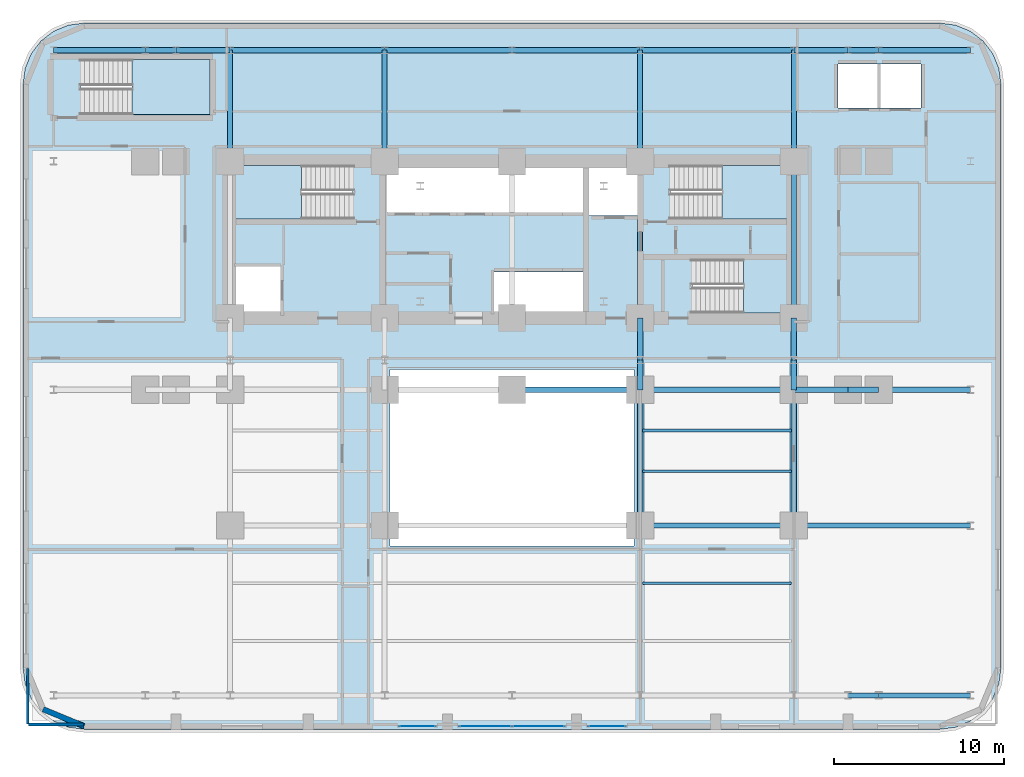
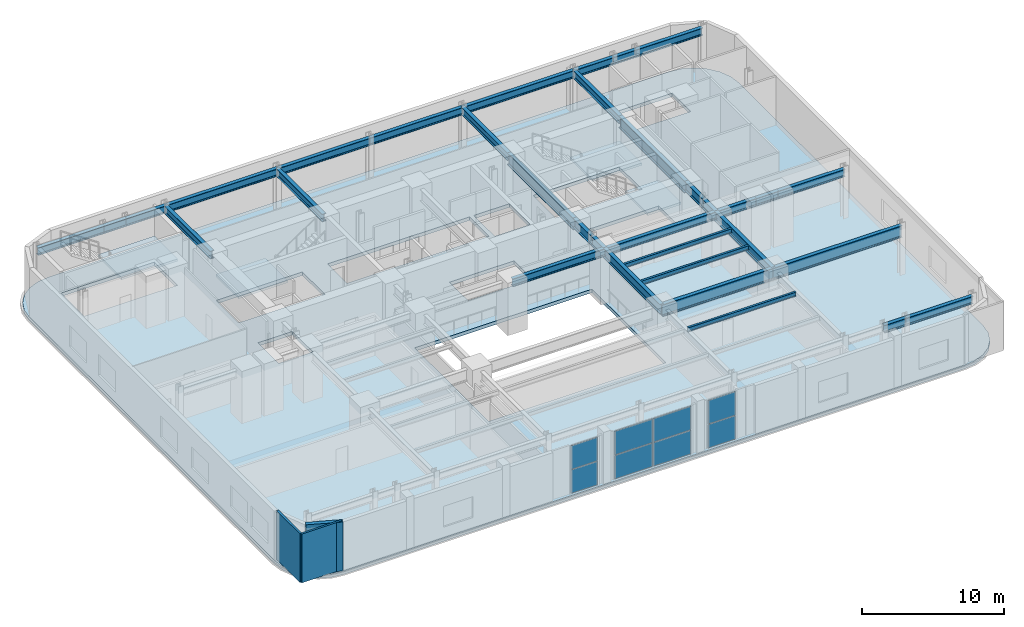
# One storey, part 5 of 14: 34 beams, 8 plates, 5 slabs, 3 walls, 7 elements without a shape of their own.
"""IFC4 building model written with IfcOpenShell, lengths in metres."""

import ifcopenshell
import ifcopenshell.guid

model = None  # the IFC model being written
_history = None  # IfcOwnerHistory: only IFC2X3 demands one
_inside = {}  # id of a spatial element -> (the spatial element, [elements in it])
_under = {}  # id of a project, library or spatial element -> (it, [spatial elements below it])
_declared = {}  # id of a project -> (the project, [libraries it declares])
_typed = {}  # id of a type object -> (the type object, [elements of that type])
_made_of = {}  # id of a material, layer set ... -> (it, [elements and type objects made of it])


def new_model(schema):
    """Start an empty IFC model of exactly this schema.

    Asked for "IFC4X3", IfcOpenShell would pick the latest addendum, in which some entities
    have other attributes; the version numbers below select the first issue.
    IFC2X3 requires an IfcOwnerHistory on every rooted entity: one is made here for all.
    """
    global model, _history
    if schema == "IFC4X3":
        model = ifcopenshell.file(schema_version=(4, 3, 0, 0))
    else:
        model = ifcopenshell.file(schema=schema)
    _inside.clear()
    _under.clear()
    _declared.clear()
    _typed.clear()
    _made_of.clear()
    _history = None
    if model.schema == "IFC2X3":
        org = make("IfcOrganization", Name="unknown")
        user = make(
            "IfcPersonAndOrganization",
            ThePerson=make("IfcPerson", FamilyName="unknown"),
            TheOrganization=org,
        )
        app = make(
            "IfcApplication",
            ApplicationDeveloper=org,
            Version="unknown",
            ApplicationFullName="unknown",
            ApplicationIdentifier="unknown",
        )
        _history = make(
            "IfcOwnerHistory",
            OwningUser=user,
            OwningApplication=app,
            ChangeAction="ADDED",
            CreationDate=0,
        )
    return model


def make(cls, **values):
    """One entity of the class cls with the attributes given. An attribute that is None is left unset."""
    return model.create_entity(
        cls, **{name: value for name, value in values.items() if value is not None}
    )


def rooted(cls, **values):
    """An entity with a GlobalId (a new one), such as an element, a storey or a relation."""
    return make(cls, GlobalId=ifcopenshell.guid.new(), OwnerHistory=_history, **values)


def si_unit(unit_type, name, prefix=None):
    """IfcSIUnit, for example si_unit("LENGTHUNIT", "METRE", prefix="MILLI")."""
    return make("IfcSIUnit", UnitType=unit_type, Prefix=prefix, Name=name)


def assignment(units):
    """IfcUnitAssignment: the units of a project."""
    return None if units is None else make("IfcUnitAssignment", Units=units)


def point(xyz):
    """IfcCartesianPoint."""
    return None if xyz is None else make("IfcCartesianPoint", Coordinates=xyz)


def direction(xyz):
    """IfcDirection."""
    return None if xyz is None else make("IfcDirection", DirectionRatios=xyz)


def frame(location, z_axis=None, x_axis=None):
    """IfcAxis2Placement3D, a coordinate frame: its origin and axes. An axis left out is left unset."""
    return make(
        "IfcAxis2Placement3D",
        Location=point(location),
        Axis=direction(z_axis),
        RefDirection=direction(x_axis),
    )


def frame_2d(location, x_axis=None):
    """IfcAxis2Placement2D, a coordinate frame in the plane: its origin and x axis."""
    return make(
        "IfcAxis2Placement2D", Location=point(location), RefDirection=direction(x_axis)
    )


def origin():
    """The frame at (0, 0, 0) with its axes left unset."""
    return frame((0.0, 0.0, 0.0))


def origin_2d():
    """The frame at (0, 0) in the plane with its x axis left unset."""
    return frame_2d((0.0, 0.0))


def place(relative_to, where):
    """IfcLocalPlacement: puts the frame where relative to a parent placement (None: the world)."""
    return make(
        "IfcLocalPlacement", PlacementRelTo=relative_to, RelativePlacement=where
    )


def context(
    kind, dimensions, precision=None, world=None, true_north=None, identifier=None
):
    """IfcGeometricRepresentationContext, for example the 3D "Model" context."""
    return make(
        "IfcGeometricRepresentationContext",
        ContextIdentifier=identifier,
        ContextType=kind,
        CoordinateSpaceDimension=dimensions,
        Precision=precision,
        WorldCoordinateSystem=world,
        TrueNorth=true_north,
    )


def subcontext(parent, identifier, kind, view, scale=None):
    """IfcGeometricRepresentationSubContext, for example "Body" below "Model"."""
    return make(
        "IfcGeometricRepresentationSubContext",
        ContextIdentifier=identifier,
        ContextType=kind,
        ParentContext=parent,
        TargetScale=scale,
        TargetView=view,
    )


def project(units=None, contexts=None):
    """IfcProject with its units and contexts."""
    return rooted(
        "IfcProject",
        Name="project",
        RepresentationContexts=contexts,
        UnitsInContext=assignment(units),
    )


def spatial(cls, under=None, at=None, **own):
    """A site, building, storey or space (cls), placed at a placement, below another one or the project."""
    s = rooted(cls, ObjectPlacement=at, **own)
    if under is not None:
        _under.setdefault(under.id(), (under, []))[1].append(s)
    return s


def polyline(points):
    """IfcPolyline through the points."""
    return make("IfcPolyline", Points=[point(p) for p in points])


def profile(cls, at=None, kind="AREA", **sizes):
    """A parametric profile (cls). Its sizes go by their IFC names, for example OverallWidth=200.0."""
    return make(cls, ProfileType=kind, Position=at, **sizes)


def rectangle(**sizes):
    """IfcRectangleProfileDef."""
    return profile("IfcRectangleProfileDef", **sizes)


def i_section(**sizes):
    """IfcIShapeProfileDef."""
    return profile("IfcIShapeProfileDef", **sizes)


def outline(outer, holes=None, kind="AREA"):
    """IfcArbitraryClosedProfileDef: a profile drawn as a closed curve; with holes, ...WithVoids."""
    if holes is None:
        return make("IfcArbitraryClosedProfileDef", ProfileType=kind, OuterCurve=outer)
    return make(
        "IfcArbitraryProfileDefWithVoids",
        ProfileType=kind,
        OuterCurve=outer,
        InnerCurves=holes,
    )


def extrude(swept, where, along, depth):
    """IfcExtrudedAreaSolid: the profile swept, set in the frame where, extruded along a direction by depth."""
    return make(
        "IfcExtrudedAreaSolid",
        SweptArea=swept,
        Position=where,
        ExtrudedDirection=direction(along),
        Depth=depth,
    )


def shape(context_of_items, identifier, shape_type, items):
    """IfcShapeRepresentation: the items that make up one representation, for example the "Body"."""
    return make(
        "IfcShapeRepresentation",
        ContextOfItems=context_of_items,
        RepresentationIdentifier=identifier,
        RepresentationType=shape_type,
        Items=items,
    )


def material(Name=None, Category=None):
    """IfcMaterial."""
    return make("IfcMaterial", Name=Name, Category=Category)


def layer(
    of_material, thickness, ventilated=None, Name=None, Category=None, Priority=None
):
    """IfcMaterialLayer: one layer of a wall or slab, of a material (None: an air gap)."""
    return make(
        "IfcMaterialLayer",
        Material=of_material,
        LayerThickness=thickness,
        IsVentilated=ventilated,
        Name=Name,
        Category=Category,
        Priority=Priority,
    )


def layer_set(layers, Name=None):
    """IfcMaterialLayerSet."""
    return make("IfcMaterialLayerSet", MaterialLayers=layers, LayerSetName=Name)


def material_profile(
    of_material, cross_section, Name=None, Category=None, Priority=None
):
    """IfcMaterialProfile: a cross section and its material."""
    return make(
        "IfcMaterialProfile",
        Name=Name,
        Material=of_material,
        Profile=cross_section,
        Priority=Priority,
        Category=Category,
    )


def profile_set(profiles, Name=None, composite=None):
    """IfcMaterialProfileSet."""
    return make(
        "IfcMaterialProfileSet",
        Name=Name,
        MaterialProfiles=profiles,
        CompositeProfile=composite,
    )


def made_of(thing, what):
    """Note that an element or type object is made of a material, layer set ...; save() writes the relation."""
    if what is not None:
        _made_of.setdefault(what.id(), (what, []))[1].append(thing)
    return thing


def type_object(cls, material=None, **own):
    """A type object (cls), such as IfcWallType, which elements share."""
    return made_of(rooted(cls, **own), material)


def element(
    cls,
    number,
    at=None,
    inside=None,
    cuts=None,
    type_object=None,
    material=None,
    context=None,
    identifier="Body",
    shape_type=None,
    held_by="IfcProductDefinitionShape",
    body=None,
    shapes=None,
    **own,
):
    """One element of the class cls, such as IfcWall. Its Tag is "e" and its number.

    at: its placement. inside: the storey or other place that contains it. cuts: it is an
    opening in that element (IfcRelVoidsElement). A single representation is given by context,
    identifier, shape_type and body (its items); several are given by shapes. held_by: the class
    of the entity that holds the representations. save() writes the other relations.
    """
    e = rooted(cls, Tag="e%d" % number, ObjectPlacement=at, **own)
    if body is not None:
        shapes = [shape(context, identifier, shape_type, body)]
    if shapes is not None:
        e.Representation = make(held_by, Representations=shapes)
    if inside is not None:
        _inside.setdefault(inside.id(), (inside, []))[1].append(e)
    if cuts is not None:
        rooted(
            "IfcRelVoidsElement", RelatingBuildingElement=cuts, RelatedOpeningElement=e
        )
    if type_object is not None:
        _typed.setdefault(type_object.id(), (type_object, []))[1].append(e)
    return made_of(e, material)


def aggregate(whole, parts):
    """IfcRelAggregates: a whole, such as a stair, and the parts it consists of."""
    return rooted("IfcRelAggregates", RelatingObject=whole, RelatedObjects=parts)


def save(model, path):
    """Write the relations noted so far, then the file.

    IfcRelAggregates (storeys below a building ...), IfcRelContainedInSpatialStructure (elements
    in a storey), IfcRelDefinesByType, IfcRelAssociatesMaterial and IfcRelDeclares: one each for
    every whole, place, type object, material and project.
    """
    for whole, parts in _under.values():
        aggregate(whole, parts)
    for where, things in _inside.values():
        rooted(
            "IfcRelContainedInSpatialStructure",
            RelatedElements=things,
            RelatingStructure=where,
        )
    for kind, things in _typed.values():
        rooted("IfcRelDefinesByType", RelatedObjects=things, RelatingType=kind)
    for what, things in _made_of.values():
        rooted("IfcRelAssociatesMaterial", RelatedObjects=things, RelatingMaterial=what)
    for by, libraries in _declared.values():
        rooted("IfcRelDeclares", RelatingContext=by, RelatedDefinitions=libraries)
    model.write(path)


model = new_model("IFC4")

# Units and contexts
model_context = context("Model", 3, precision=1e-05, world=origin(), true_north=direction((0.0, 1.0)))
body_context = subcontext(model_context, "Body", "Model", "MODEL_VIEW")
ifc_project = project(units=[si_unit("LENGTHUNIT", "METRE"), si_unit("AREAUNIT", "SQUARE_METRE"), si_unit("VOLUMEUNIT", "CUBIC_METRE"), si_unit("PLANEANGLEUNIT", "RADIAN"), si_unit("MASSUNIT", "GRAM", prefix="KILO")], contexts=[model_context])

# Site, building, storey
site_placement = place(None, origin())
site = spatial("IfcSite", under=ifc_project, at=site_placement, CompositionType="ELEMENT")
building_placement = place(site_placement, origin())
building = spatial("IfcBuilding", under=site, at=building_placement, Name="Zarnavel Station Tower", CompositionType="ELEMENT")
storey_placement = place(building_placement, frame((0.0, 0.0, 14.89990234375)))
storey = spatial("IfcBuildingStorey", under=building, at=storey_placement, Name="L04", CompositionType="ELEMENT", Elevation=14.89990234375)

# Beams
ifc_material_1 = material(Name="Steel S355J2", Category="steel")
ifc_material_profile_1 = material_profile(ifc_material_1, i_section(OverallWidth=0.300048828125, OverallDepth=0.64990234375, WebThickness=0.01611328125, FlangeThickness=0.031005859375, FilletRadius=0.027099609375, at=origin_2d()), Name="HEB650")
ifc_profile_set_1 = profile_set([ifc_material_profile_1], Name="Steel S355J2")
beam_type_1 = type_object("IfcBeamType", Name="FG_HEB650", PredefinedType="USERDEFINED", material=ifc_profile_set_1)
for number, where, z_axis, x_axis, name in (
    (1, (12.199951171875, 37.050048828125, 3.875), (0.0, 1.0, 0.0), (-1.0, 0.0, 0.0), "L04 NS Girder North 1"),
    (2, (21.300048828125, 37.050048828125, 3.875), (0.0, 1.0, 0.0), (-1.0, 0.0, 0.0), "L04 NS Girder North 2"),
    (3, (36.35009765625, 37.050048828125, 3.875), (0.0, 1.0, 0.0), (-1.0, 0.0, 0.0), "L04 NS Girder North 3"),
    (4, (45.39990234375, 37.050048828125, 3.875), (0.0, 1.0, 0.0), (-1.0, 0.0, 0.0), "L04 NS Girder North 4"),
):
    element("IfcBeam", number, at=place(storey_placement, frame(where, z_axis=z_axis, x_axis=x_axis)), inside=storey, type_object=beam_type_1, Name=name, ObjectType="GIRDER", PredefinedType="USERDEFINED", context=body_context, shape_type="SweptSolid", body=[
        extrude(i_section(OverallWidth=0.300048828125, OverallDepth=0.64990234375, WebThickness=0.01611328125, FlangeThickness=0.031005859375, FilletRadius=0.027099609375, at=origin_2d()), origin(), (0.0, 0.0, 1.0), 6.550048828125),
    ])
beam_1_placement = place(storey_placement, frame((48.60009765625, 5.60009765625, 3.875), z_axis=(1.0, 0.0, 0.0), x_axis=(0.0, 1.0, 0.0)))
element("IfcBeam", 5, at=beam_1_placement, inside=storey, type_object=beam_type_1, Name="L04 EW Frame Girder 1-9", ObjectType="GIRDER", PredefinedType="USERDEFINED", context=body_context, shape_type="SweptSolid", body=[
    extrude(i_section(OverallWidth=0.300048828125, OverallDepth=0.64990234375, WebThickness=0.01611328125, FlangeThickness=0.031005859375, FilletRadius=0.027099609375, at=origin_2d()), origin(), (0.0, 0.0, 1.0), 1.7998046875),
])
beam_2_placement = place(storey_placement, frame((50.39990234375, 5.60009765625, 3.875), z_axis=(1.0, 0.0, 0.0), x_axis=(0.0, 1.0, 0.0)))
element("IfcBeam", 6, at=beam_2_placement, inside=storey, type_object=beam_type_1, Name="L04 EW Frame Girder 1-10", ObjectType="GIRDER", PredefinedType="USERDEFINED", context=body_context, shape_type="SweptSolid", body=[
    extrude(i_section(OverallWidth=0.300048828125, OverallDepth=0.64990234375, WebThickness=0.01611328125, FlangeThickness=0.031005859375, FilletRadius=0.027099609375, at=origin_2d()), origin(), (0.0, 0.0, 1.0), 5.400146484375),
])
beam_3_placement = place(storey_placement, frame((28.800048828125, 23.60009765625, 3.875), z_axis=(1.0, 0.0, 0.0), x_axis=(0.0, 1.0, 0.0)))
element("IfcBeam", 7, at=beam_3_placement, inside=storey, type_object=beam_type_1, Name="L04 EW Frame Girder 2-6", ObjectType="GIRDER", PredefinedType="USERDEFINED", context=body_context, shape_type="SweptSolid", body=[
    extrude(i_section(OverallWidth=0.300048828125, OverallDepth=0.64990234375, WebThickness=0.01611328125, FlangeThickness=0.031005859375, FilletRadius=0.027099609375, at=origin_2d()), origin(), (0.0, 0.0, 1.0), 7.550048828125),
])
beam_4_placement = place(storey_placement, frame((36.35009765625, 23.60009765625, 3.875), z_axis=(1.0, 0.0, 0.0), x_axis=(0.0, 1.0, 0.0)))
element("IfcBeam", 8, at=beam_4_placement, inside=storey, type_object=beam_type_1, Name="L04 EW Frame Girder 2-7", ObjectType="GIRDER", PredefinedType="USERDEFINED", context=body_context, shape_type="SweptSolid", body=[
    extrude(i_section(OverallWidth=0.300048828125, OverallDepth=0.64990234375, WebThickness=0.01611328125, FlangeThickness=0.031005859375, FilletRadius=0.027099609375, at=origin_2d()), origin(), (0.0, 0.0, 1.0), 9.0498046875),
])
beam_5_placement = place(storey_placement, frame((45.39990234375, 23.60009765625, 3.875), z_axis=(1.0, 0.0, 0.0), x_axis=(0.0, 1.0, 0.0)))
element("IfcBeam", 9, at=beam_5_placement, inside=storey, type_object=beam_type_1, Name="L04 EW Frame Girder 2-8", ObjectType="GIRDER", PredefinedType="USERDEFINED", context=body_context, shape_type="SweptSolid", body=[
    extrude(i_section(OverallWidth=0.300048828125, OverallDepth=0.64990234375, WebThickness=0.01611328125, FlangeThickness=0.031005859375, FilletRadius=0.027099609375, at=origin_2d()), origin(), (0.0, 0.0, 1.0), 3.2001953125),
])
beam_6_placement = place(storey_placement, frame((48.60009765625, 23.60009765625, 3.875), z_axis=(1.0, 0.0, 0.0), x_axis=(0.0, 1.0, 0.0)))
element("IfcBeam", 10, at=beam_6_placement, inside=storey, type_object=beam_type_1, Name="L04 EW Frame Girder 2-9", ObjectType="GIRDER", PredefinedType="USERDEFINED", context=body_context, shape_type="SweptSolid", body=[
    extrude(i_section(OverallWidth=0.300048828125, OverallDepth=0.64990234375, WebThickness=0.01611328125, FlangeThickness=0.031005859375, FilletRadius=0.027099609375, at=origin_2d()), origin(), (0.0, 0.0, 1.0), 1.7998046875),
])
beam_7_placement = place(storey_placement, frame((50.39990234375, 23.60009765625, 3.875), z_axis=(1.0, 0.0, 0.0), x_axis=(0.0, 1.0, 0.0)))
element("IfcBeam", 11, at=beam_7_placement, inside=storey, type_object=beam_type_1, Name="L04 EW Frame Girder 2-10", ObjectType="GIRDER", PredefinedType="USERDEFINED", context=body_context, shape_type="SweptSolid", body=[
    extrude(i_section(OverallWidth=0.300048828125, OverallDepth=0.64990234375, WebThickness=0.01611328125, FlangeThickness=0.031005859375, FilletRadius=0.027099609375, at=origin_2d()), origin(), (0.0, 0.0, 1.0), 5.400146484375),
])
beam_8_placement = place(storey_placement, frame((1.800048828125, 43.60009765625, 3.875), z_axis=(1.0, 0.0, 0.0), x_axis=(0.0, 1.0, 0.0)))
element("IfcBeam", 12, at=beam_8_placement, inside=storey, type_object=beam_type_1, Name="L04 EW Frame Girder 3-1", ObjectType="GIRDER", PredefinedType="USERDEFINED", context=body_context, shape_type="SweptSolid", body=[
    extrude(i_section(OverallWidth=0.300048828125, OverallDepth=0.64990234375, WebThickness=0.01611328125, FlangeThickness=0.031005859375, FilletRadius=0.027099609375, at=origin_2d()), origin(), (0.0, 0.0, 1.0), 5.39990234375),
])
beam_9_placement = place(storey_placement, frame((7.199951171875, 43.60009765625, 3.875), z_axis=(1.0, 0.0, 0.0), x_axis=(0.0, 1.0, 0.0)))
element("IfcBeam", 13, at=beam_9_placement, inside=storey, type_object=beam_type_1, Name="L04 EW Frame Girder 3-2", ObjectType="GIRDER", PredefinedType="USERDEFINED", context=body_context, shape_type="SweptSolid", body=[
    extrude(i_section(OverallWidth=0.300048828125, OverallDepth=0.64990234375, WebThickness=0.01611328125, FlangeThickness=0.031005859375, FilletRadius=0.027099609375, at=origin_2d()), origin(), (0.0, 0.0, 1.0), 1.800048828125),
])
beam_10_placement = place(storey_placement, frame((9.0, 43.60009765625, 3.875), z_axis=(1.0, 0.0, 0.0), x_axis=(0.0, 1.0, 0.0)))
element("IfcBeam", 14, at=beam_10_placement, inside=storey, type_object=beam_type_1, Name="L04 EW Frame Girder 3-3", ObjectType="GIRDER", PredefinedType="USERDEFINED", context=body_context, shape_type="SweptSolid", body=[
    extrude(i_section(OverallWidth=0.300048828125, OverallDepth=0.64990234375, WebThickness=0.01611328125, FlangeThickness=0.031005859375, FilletRadius=0.027099609375, at=origin_2d()), origin(), (0.0, 0.0, 1.0), 3.199951171875),
])
beam_11_placement = place(storey_placement, frame((12.199951171875, 43.60009765625, 3.875), z_axis=(1.0, 0.0, 0.0), x_axis=(0.0, 1.0, 0.0)))
element("IfcBeam", 15, at=beam_11_placement, inside=storey, type_object=beam_type_1, Name="L04 EW Frame Girder 3-4", ObjectType="GIRDER", PredefinedType="USERDEFINED", context=body_context, shape_type="SweptSolid", body=[
    extrude(i_section(OverallWidth=0.300048828125, OverallDepth=0.64990234375, WebThickness=0.01611328125, FlangeThickness=0.031005859375, FilletRadius=0.027099609375, at=origin_2d()), origin(), (0.0, 0.0, 1.0), 9.10009765625),
])
beam_12_placement = place(storey_placement, frame((21.300048828125, 43.60009765625, 3.875), z_axis=(1.0, 0.0, 0.0), x_axis=(0.0, 1.0, 0.0)))
element("IfcBeam", 16, at=beam_12_placement, inside=storey, type_object=beam_type_1, Name="L04 EW Frame Girder 3-5", ObjectType="GIRDER", PredefinedType="USERDEFINED", context=body_context, shape_type="SweptSolid", body=[
    extrude(i_section(OverallWidth=0.300048828125, OverallDepth=0.64990234375, WebThickness=0.01611328125, FlangeThickness=0.031005859375, FilletRadius=0.027099609375, at=origin_2d()), origin(), (0.0, 0.0, 1.0), 7.5),
])
beam_13_placement = place(storey_placement, frame((28.800048828125, 43.60009765625, 3.875), z_axis=(1.0, 0.0, 0.0), x_axis=(0.0, 1.0, 0.0)))
element("IfcBeam", 17, at=beam_13_placement, inside=storey, type_object=beam_type_1, Name="L04 EW Frame Girder 3-6", ObjectType="GIRDER", PredefinedType="USERDEFINED", context=body_context, shape_type="SweptSolid", body=[
    extrude(i_section(OverallWidth=0.300048828125, OverallDepth=0.64990234375, WebThickness=0.01611328125, FlangeThickness=0.031005859375, FilletRadius=0.027099609375, at=origin_2d()), origin(), (0.0, 0.0, 1.0), 7.550048828125),
])
beam_14_placement = place(storey_placement, frame((36.35009765625, 43.60009765625, 3.875), z_axis=(1.0, 0.0, 0.0), x_axis=(0.0, 1.0, 0.0)))
element("IfcBeam", 18, at=beam_14_placement, inside=storey, type_object=beam_type_1, Name="L04 EW Frame Girder 3-7", ObjectType="GIRDER", PredefinedType="USERDEFINED", context=body_context, shape_type="SweptSolid", body=[
    extrude(i_section(OverallWidth=0.300048828125, OverallDepth=0.64990234375, WebThickness=0.01611328125, FlangeThickness=0.031005859375, FilletRadius=0.027099609375, at=origin_2d()), origin(), (0.0, 0.0, 1.0), 9.0498046875),
])
beam_15_placement = place(storey_placement, frame((45.39990234375, 43.60009765625, 3.875), z_axis=(1.0, 0.0, 0.0), x_axis=(0.0, 1.0, 0.0)))
element("IfcBeam", 19, at=beam_15_placement, inside=storey, type_object=beam_type_1, Name="L04 EW Frame Girder 3-8", ObjectType="GIRDER", PredefinedType="USERDEFINED", context=body_context, shape_type="SweptSolid", body=[
    extrude(i_section(OverallWidth=0.300048828125, OverallDepth=0.64990234375, WebThickness=0.01611328125, FlangeThickness=0.031005859375, FilletRadius=0.027099609375, at=origin_2d()), origin(), (0.0, 0.0, 1.0), 3.2001953125),
])
beam_16_placement = place(storey_placement, frame((48.60009765625, 43.60009765625, 3.875), z_axis=(1.0, 0.0, 0.0), x_axis=(0.0, 1.0, 0.0)))
element("IfcBeam", 20, at=beam_16_placement, inside=storey, type_object=beam_type_1, Name="L04 EW Frame Girder 3-9", ObjectType="GIRDER", PredefinedType="USERDEFINED", context=body_context, shape_type="SweptSolid", body=[
    extrude(i_section(OverallWidth=0.300048828125, OverallDepth=0.64990234375, WebThickness=0.01611328125, FlangeThickness=0.031005859375, FilletRadius=0.027099609375, at=origin_2d()), origin(), (0.0, 0.0, 1.0), 1.7998046875),
])
beam_17_placement = place(storey_placement, frame((50.39990234375, 43.60009765625, 3.875), z_axis=(1.0, 0.0, 0.0), x_axis=(0.0, 1.0, 0.0)))
element("IfcBeam", 21, at=beam_17_placement, inside=storey, type_object=beam_type_1, Name="L04 EW Frame Girder 3-10", ObjectType="GIRDER", PredefinedType="USERDEFINED", context=body_context, shape_type="SweptSolid", body=[
    extrude(i_section(OverallWidth=0.300048828125, OverallDepth=0.64990234375, WebThickness=0.01611328125, FlangeThickness=0.031005859375, FilletRadius=0.027099609375, at=origin_2d()), origin(), (0.0, 0.0, 1.0), 5.400146484375),
])
ifc_material_2 = material(Name="Steel S460M", Category="steel")
ifc_material_profile_2 = material_profile(ifc_material_2, i_section(OverallWidth=0.302978515625, OverallDepth=0.81396484375, WebThickness=0.02099609375, FlangeThickness=0.0400390625, FilletRadius=0.030029296875, at=origin_2d()), Name="HEM800")
ifc_profile_set_2 = profile_set([ifc_material_profile_2], Name="Steel S460M")
beam_type_2 = type_object("IfcBeamType", Name="FG_HEM800", PredefinedType="USERDEFINED", material=ifc_profile_set_2)
beam_18_placement = place(storey_placement, frame((36.35009765625, 15.60009765625, 3.793212890625), z_axis=(0.0, 1.0, 0.0), x_axis=(-1.0, 0.0, 0.0)))
element("IfcBeam", 22, at=beam_18_placement, inside=storey, type_object=beam_type_2, Name="L04 NS Girder Mid 3", ObjectType="GIRDER", PredefinedType="USERDEFINED", context=body_context, shape_type="SweptSolid", body=[
    extrude(i_section(OverallWidth=0.302978515625, OverallDepth=0.81396484375, WebThickness=0.02099609375, FlangeThickness=0.0400390625, FilletRadius=0.030029296875, at=origin_2d()), origin(), (0.0, 0.0, 1.0), 8.0),
])
beam_19_placement = place(storey_placement, frame((36.35009765625, 23.60009765625, 3.793212890625), z_axis=(0.0, 1.0, 0.0), x_axis=(-1.0, 0.0, 0.0)))
element("IfcBeam", 23, at=beam_19_placement, inside=storey, type_object=beam_type_2, Name="L04 NS Girder Spine 3", ObjectType="GIRDER", PredefinedType="USERDEFINED", context=body_context, shape_type="SweptSolid", body=[
    extrude(i_section(OverallWidth=0.302978515625, OverallDepth=0.81396484375, WebThickness=0.02099609375, FlangeThickness=0.0400390625, FilletRadius=0.030029296875, at=origin_2d()), origin(), (0.0, 0.0, 1.0), 1.75),
])
beam_20_placement = place(storey_placement, frame((36.35009765625, 25.35009765625, 3.793212890625), z_axis=(0.0, 1.0, 0.0), x_axis=(-1.0, 0.0, 0.0)))
element("IfcBeam", 24, at=beam_20_placement, inside=storey, type_object=beam_type_2, Name="L04 NS Girder Core 3", ObjectType="GIRDER", PredefinedType="USERDEFINED", context=body_context, shape_type="SweptSolid", body=[
    extrude(i_section(OverallWidth=0.302978515625, OverallDepth=0.81396484375, WebThickness=0.02099609375, FlangeThickness=0.0400390625, FilletRadius=0.030029296875, at=origin_2d()), origin(), (0.0, 0.0, 1.0), 2.469970703125),
])
beam_21_placement = place(storey_placement, frame((45.39990234375, 15.60009765625, 3.793212890625), z_axis=(0.0, 1.0, 0.0), x_axis=(-1.0, 0.0, 0.0)))
element("IfcBeam", 25, at=beam_21_placement, inside=storey, type_object=beam_type_2, Name="L04 NS Girder Mid 4", ObjectType="GIRDER", PredefinedType="USERDEFINED", context=body_context, shape_type="SweptSolid", body=[
    extrude(i_section(OverallWidth=0.302978515625, OverallDepth=0.81396484375, WebThickness=0.02099609375, FlangeThickness=0.0400390625, FilletRadius=0.030029296875, at=origin_2d()), origin(), (0.0, 0.0, 1.0), 8.0),
])
beam_22_placement = place(storey_placement, frame((45.39990234375, 23.60009765625, 3.793212890625), z_axis=(0.0, 1.0, 0.0), x_axis=(-1.0, 0.0, 0.0)))
element("IfcBeam", 26, at=beam_22_placement, inside=storey, type_object=beam_type_2, Name="L04 NS Girder Spine 4", ObjectType="GIRDER", PredefinedType="USERDEFINED", context=body_context, shape_type="SweptSolid", body=[
    extrude(i_section(OverallWidth=0.302978515625, OverallDepth=0.81396484375, WebThickness=0.02099609375, FlangeThickness=0.0400390625, FilletRadius=0.030029296875, at=origin_2d()), origin(), (0.0, 0.0, 1.0), 1.75),
])
beam_23_placement = place(storey_placement, frame((45.39990234375, 25.35009765625, 3.793212890625), z_axis=(0.0, 1.0, 0.0), x_axis=(-1.0, 0.0, 0.0)))
element("IfcBeam", 27, at=beam_23_placement, inside=storey, type_object=beam_type_2, Name="L04 NS Girder Core 4", ObjectType="GIRDER", PredefinedType="USERDEFINED", context=body_context, shape_type="SweptSolid", body=[
    extrude(i_section(OverallWidth=0.302978515625, OverallDepth=0.81396484375, WebThickness=0.02099609375, FlangeThickness=0.0400390625, FilletRadius=0.030029296875, at=origin_2d()), origin(), (0.0, 0.0, 1.0), 2.469970703125),
])
ifc_material_3 = material(Name="Steel S355J2", Category="steel")
ifc_material_profile_3 = material_profile(ifc_material_3, i_section(OverallWidth=0.169921875, OverallDepth=0.360107421875, WebThickness=0.008056640625, FlangeThickness=0.0126953125, FilletRadius=0.01806640625, at=origin_2d()), Name="IPE360")
ifc_profile_set_3 = profile_set([ifc_material_profile_3], Name="Steel S355J2")
beam_type_3 = type_object("IfcBeamType", Name="FJ_IPE360", PredefinedType="JOIST", material=ifc_profile_set_3)
for number, where, z_axis, x_axis, name in (
    (28, (36.4951171875, 12.199951171875, 4.02001953125), (1.0, 0.0, 0.0), (0.0, 1.0, 0.0), "L04 Floor Joist E2"),
    (29, (36.4951171875, 18.800048828125, 4.02001953125), (1.0, 0.0, 0.0), (0.0, 1.0, 0.0), "L04 East Joist 3"),
    (30, (36.4951171875, 21.199951171875, 4.02001953125), (1.0, 0.0, 0.0), (0.0, 1.0, 0.0), "L04 East Joist 4"),
):
    element("IfcBeam", number, at=place(storey_placement, frame(where, z_axis=z_axis, x_axis=x_axis)), inside=storey, type_object=beam_type_3, Name=name, PredefinedType="JOIST", context=body_context, shape_type="SweptSolid", body=[
        extrude(i_section(OverallWidth=0.169921875, OverallDepth=0.360107421875, WebThickness=0.008056640625, FlangeThickness=0.0126953125, FilletRadius=0.01806640625, at=origin_2d()), origin(), (0.0, 0.0, 1.0), 8.759765625),
    ])
ifc_material_4 = material(Name="Steel S460M", Category="steel")
ifc_material_profile_4 = material_profile(ifc_material_4, i_section(OverallWidth=0.302001953125, OverallDepth=1.008056640625, WebThickness=0.02099609375, FlangeThickness=0.0400390625, FilletRadius=0.030029296875, at=origin_2d()), Name="HEM1000")
ifc_profile_set_4 = profile_set([ifc_material_profile_4], Name="Steel S460M")
beam_type_4 = type_object("IfcBeamType", Name="TG_HEM1000", PredefinedType="USERDEFINED", material=ifc_profile_set_4)
for number, where, z_axis, x_axis, name in (
    (31, (36.35009765625, 27.820068359375, 3.696044921875), (0.0, 1.0, 0.0), (-1.0, 0.0, 0.0), "L04 Core Spine Coupling Girder 4"),
    (32, (45.39990234375, 27.820068359375, 3.696044921875), (0.0, 1.0, 0.0), (-1.0, 0.0, 0.0), "L04 Core Spine Coupling Girder 5"),
):
    element("IfcBeam", number, at=place(storey_placement, frame(where, z_axis=z_axis, x_axis=x_axis)), inside=storey, type_object=beam_type_4, Name=name, ObjectType="GIRDER", PredefinedType="USERDEFINED", context=body_context, shape_type="SweptSolid", body=[
        extrude(i_section(OverallWidth=0.302001953125, OverallDepth=1.008056640625, WebThickness=0.02099609375, FlangeThickness=0.0400390625, FilletRadius=0.030029296875, at=origin_2d()), origin(), (0.0, 0.0, 1.0), 9.22998046875),
    ])
beam_24_placement = place(storey_placement, frame((36.35009765625, 15.60009765625, 3.696044921875), z_axis=(1.0, 0.0, 0.0), x_axis=(0.0, 1.0, 0.0)))
element("IfcBeam", 33, at=beam_24_placement, inside=storey, type_object=beam_type_4, Name="L04 East Hall Inner Girder", ObjectType="GIRDER", PredefinedType="USERDEFINED", context=body_context, shape_type="SweptSolid", body=[
    extrude(i_section(OverallWidth=0.302001953125, OverallDepth=1.008056640625, WebThickness=0.02099609375, FlangeThickness=0.0400390625, FilletRadius=0.030029296875, at=origin_2d()), origin(), (0.0, 0.0, 1.0), 9.0498046875),
])
beam_25_placement = place(storey_placement, frame((45.39990234375, 15.60009765625, 3.696044921875), z_axis=(1.0, 0.0, 0.0), x_axis=(0.0, 1.0, 0.0)))
element("IfcBeam", 34, at=beam_25_placement, inside=storey, type_object=beam_type_4, Name="L04 East Hall Outer Girder", ObjectType="GIRDER", PredefinedType="USERDEFINED", context=body_context, shape_type="SweptSolid", body=[
    extrude(i_section(OverallWidth=0.302001953125, OverallDepth=1.008056640625, WebThickness=0.02099609375, FlangeThickness=0.0400390625, FilletRadius=0.030029296875, at=origin_2d()), origin(), (0.0, 0.0, 1.0), 10.400146484375),
])

# Curtain wall, plates
ifc_material_5 = material(Name="Aluminium Dark Anodised and Solar-Control Glass", Category="aluminium")
ifc_layer_1 = layer(ifc_material_5, 0.179931640625)
ifc_layer_set_1 = layer_set([ifc_layer_1], Name="CWS1")
curtain_wall_type = type_object("IfcCurtainWallType", Name="CWS1", PredefinedType="NOTDEFINED", material=ifc_layer_set_1)
curtain_wall_1_placement = place(storey_placement, origin())
curtain_wall_1 = element("IfcCurtainWall", 35, at=curtain_wall_1_placement, inside=storey, type_object=curtain_wall_type, Name="L04 Curtain Wall CWS1-L04-S-S1", PredefinedType="NOTDEFINED")
ifc_material_6 = material(Name="Double Low-E Dark Solar-Control Glass", Category="glass")
ifc_layer_2 = layer(ifc_material_6, 0.035888671875)
ifc_layer_set_2 = layer_set([ifc_layer_2], Name="CWS1_PNL")
plate_type = type_object("IfcPlateType", Name="CWS1_PNL", PredefinedType="CURTAIN_PANEL", material=ifc_layer_set_2)
plate_1_placement = place(storey_placement, frame((23.22802734375, 3.780029296875, 0.06005859375), z_axis=(0.0, 0.0, 1.0), x_axis=(1.0, 0.0, 0.0)))
plate_1 = element("IfcPlate", 36, at=plate_1_placement, type_object=plate_type, Name="CW1 panel 1.1", PredefinedType="CURTAIN_PANEL", context=body_context, shape_type="SweptSolid", body=[
    extrude(rectangle(XDim=2.135986328125, YDim=0.028076171875, at=origin_2d()), origin(), (0.0, 0.0, 1.0), 2.010009765625),
])
plate_2_placement = place(storey_placement, frame((23.22802734375, 3.780029296875, 2.1298828125), z_axis=(0.0, 0.0, 1.0), x_axis=(1.0, 0.0, 0.0)))
plate_2 = element("IfcPlate", 37, at=plate_2_placement, type_object=plate_type, Name="CW1 panel 1.2", PredefinedType="CURTAIN_PANEL", context=body_context, shape_type="SweptSolid", body=[
    extrude(rectangle(XDim=2.135986328125, YDim=0.028076171875, at=origin_2d()), origin(), (0.0, 0.0, 1.0), 2.010009765625),
])
aggregate(curtain_wall_1, [plate_1, plate_2])

curtain_wall_2_placement = place(storey_placement, origin())
curtain_wall_2 = element("IfcCurtainWall", 38, at=curtain_wall_2_placement, inside=storey, type_object=curtain_wall_type, Name="L04 Curtain Wall CWS1-L04-S-S2", PredefinedType="NOTDEFINED")
plate_3_placement = place(storey_placement, frame((27.237060546875, 3.780029296875, 0.06005859375), z_axis=(0.0, 0.0, 1.0), x_axis=(1.0, 0.0, 0.0)))
plate_3 = element("IfcPlate", 39, at=plate_3_placement, type_object=plate_type, Name="CW1 panel 1.1", PredefinedType="CURTAIN_PANEL", context=body_context, shape_type="SweptSolid", body=[
    extrude(rectangle(XDim=3.06591796875, YDim=0.028076171875, at=origin_2d()), origin(), (0.0, 0.0, 1.0), 2.010009765625),
])
plate_4_placement = place(storey_placement, frame((27.237060546875, 3.780029296875, 2.1298828125), z_axis=(0.0, 0.0, 1.0), x_axis=(1.0, 0.0, 0.0)))
plate_4 = element("IfcPlate", 40, at=plate_4_placement, type_object=plate_type, Name="CW1 panel 1.2", PredefinedType="CURTAIN_PANEL", context=body_context, shape_type="SweptSolid", body=[
    extrude(rectangle(XDim=3.06591796875, YDim=0.028076171875, at=origin_2d()), origin(), (0.0, 0.0, 1.0), 2.010009765625),
])
plate_5_placement = place(storey_placement, frame((30.363037109375, 3.780029296875, 0.06005859375), z_axis=(0.0, 0.0, 1.0), x_axis=(1.0, 0.0, 0.0)))
plate_5 = element("IfcPlate", 41, at=plate_5_placement, type_object=plate_type, Name="CW1 panel 2.1", PredefinedType="CURTAIN_PANEL", context=body_context, shape_type="SweptSolid", body=[
    extrude(rectangle(XDim=3.06591796875, YDim=0.028076171875, at=origin_2d()), origin(), (0.0, 0.0, 1.0), 2.010009765625),
])
plate_6_placement = place(storey_placement, frame((30.363037109375, 3.780029296875, 2.1298828125), z_axis=(0.0, 0.0, 1.0), x_axis=(1.0, 0.0, 0.0)))
plate_6 = element("IfcPlate", 42, at=plate_6_placement, type_object=plate_type, Name="CW1 panel 2.2", PredefinedType="CURTAIN_PANEL", context=body_context, shape_type="SweptSolid", body=[
    extrude(rectangle(XDim=3.06591796875, YDim=0.028076171875, at=origin_2d()), origin(), (0.0, 0.0, 1.0), 2.010009765625),
])
aggregate(curtain_wall_2, [plate_3, plate_4, plate_5, plate_6])

curtain_wall_3_placement = place(storey_placement, origin())
curtain_wall_3 = element("IfcCurtainWall", 43, at=curtain_wall_3_placement, inside=storey, type_object=curtain_wall_type, Name="L04 Curtain Wall CWS1-L04-S-S3", PredefinedType="NOTDEFINED")
plate_7_placement = place(storey_placement, frame((34.39697265625, 3.780029296875, 0.06005859375), z_axis=(0.0, 0.0, 1.0), x_axis=(1.0, 0.0, 0.0)))
plate_7 = element("IfcPlate", 44, at=plate_7_placement, type_object=plate_type, Name="CW1 panel 1.1", PredefinedType="CURTAIN_PANEL", context=body_context, shape_type="SweptSolid", body=[
    extrude(rectangle(XDim=2.18603515625, YDim=0.028076171875, at=origin_2d()), origin(), (0.0, 0.0, 1.0), 2.010009765625),
])
plate_8_placement = place(storey_placement, frame((34.39697265625, 3.780029296875, 2.1298828125), z_axis=(0.0, 0.0, 1.0), x_axis=(1.0, 0.0, 0.0)))
plate_8 = element("IfcPlate", 45, at=plate_8_placement, type_object=plate_type, Name="CW1 panel 1.2", PredefinedType="CURTAIN_PANEL", context=body_context, shape_type="SweptSolid", body=[
    extrude(rectangle(XDim=2.18603515625, YDim=0.028076171875, at=origin_2d()), origin(), (0.0, 0.0, 1.0), 2.010009765625),
])
aggregate(curtain_wall_3, [plate_7, plate_8])

# Slab
ifc_material_7 = material(Name="Concrete C45/55", Category="concrete")
ifc_layer_3 = layer(ifc_material_7, 0.300048828125)
ifc_layer_set_3 = layer_set([ifc_layer_3], Name="SL_FLR_300")
slab_type_1 = type_object("IfcSlabType", Name="SL_FLR_300", PredefinedType="FLOOR", material=ifc_layer_set_3)
slab_1_placement = place(storey_placement, frame((0.0, 0.0, -0.2998046875)))
element("IfcSlab", 46, at=slab_1_placement, inside=storey, type_object=slab_type_1, Name="L04 Structural Floor Slab", PredefinedType="FLOOR", context=body_context, shape_type="SweptSolid", body=[
    extrude(outline(polyline([(54.0, 3.60009765625), (54.931640625, 3.72265625), (55.800048828125, 4.082275390625), (56.545654296875, 4.654296875), (57.11767578125, 5.39990234375), (57.477294921875, 6.268310546875), (57.60009765625, 7.199951171875), (57.60009765625, 41.60009765625), (57.477294921875, 42.53173828125), (57.11767578125, 43.39990234375), (56.545654296875, 44.1455078125), (55.800048828125, 44.7177734375), (54.931640625, 45.077392578125), (54.0, 45.199951171875), (3.60009765625, 45.199951171875), (2.668212890625, 45.077392578125), (1.800048828125, 44.7177734375), (1.054443359375, 44.1455078125), (0.482421875, 43.39990234375), (0.122802734375, 42.53173828125), (0.0, 41.60009765625), (0.0, 7.199951171875), (0.122802734375, 6.268310546875), (0.482421875, 5.39990234375), (1.054443359375, 4.654296875), (1.800048828125, 4.082275390625), (2.668212890625, 3.72265625), (3.60009765625, 3.60009765625), (54.0, 3.60009765625)]), holes=[polyline([(12.39990234375, 33.659912109375), (19.409912109375, 33.659912109375), (19.409912109375, 36.820068359375), (12.39990234375, 36.820068359375), (12.39990234375, 33.659912109375)]), polyline([(38.14990234375, 33.659912109375), (45.159912109375, 33.659912109375), (45.159912109375, 36.820068359375), (38.14990234375, 36.820068359375), (38.14990234375, 33.659912109375)]), polyline([(39.419921875, 28.1201171875), (45.14990234375, 28.1201171875), (45.14990234375, 31.280029296875), (39.419921875, 31.280029296875), (39.419921875, 28.1201171875)]), polyline([(3.419921875, 39.800048828125), (11.0, 39.800048828125), (11.0, 43.06005859375), (3.419921875, 43.06005859375), (3.419921875, 39.800048828125)]), polyline([(12.35009765625, 27.949951171875), (15.14990234375, 27.949951171875), (15.14990234375, 30.85009765625), (12.35009765625, 30.85009765625), (12.35009765625, 27.949951171875)]), polyline([(33.320068359375, 33.85009765625), (36.2099609375, 33.85009765625), (36.2099609375, 36.780029296875), (33.320068359375, 36.780029296875), (33.320068359375, 33.85009765625)]), polyline([(21.449951171875, 34.050048828125), (32.97998046875, 34.050048828125), (32.97998046875, 36.780029296875), (21.449951171875, 36.780029296875), (21.449951171875, 34.050048828125)]), polyline([(27.75, 27.949951171875), (32.97998046875, 27.949951171875), (32.97998046875, 30.550048828125), (27.75, 30.550048828125), (27.75, 27.949951171875)]), polyline([(48.0, 40.199951171875), (52.89990234375, 40.199951171875), (52.89990234375, 42.800048828125), (48.0, 42.800048828125), (48.0, 40.199951171875)]), polyline([(21.60009765625, 14.39990234375), (36.0, 14.39990234375), (36.0, 24.800048828125), (21.60009765625, 24.800048828125), (21.60009765625, 14.39990234375)])]), origin(), (0.0, 0.0, 1.0), 0.2998046875),
])

# Stair, slab
ifc_material_8 = material(Name="Concrete C45/55", Category="concrete")
stair_type_1 = type_object("IfcStairType", Name="ST_CORE_150", PredefinedType="HALF_TURN_STAIR", material=ifc_material_8)
stair_1_placement = place(storey_placement, origin())
stair_1 = element("IfcStair", 47, at=stair_1_placement, inside=storey, type_object=stair_type_1, Name="L04 Core Exit Stair ST1", PredefinedType="HALF_TURN_STAIR")
ifc_material_9 = material(Name="Concrete C45/55", Category="concrete")
ifc_layer_4 = layer(ifc_material_9, 0.199951171875)
ifc_layer_set_4 = layer_set([ifc_layer_4], Name="SL_STAIR_LAND_200")
slab_type_2 = type_object("IfcSlabType", Name="SL_STAIR_LAND_200", PredefinedType="LANDING", material=ifc_layer_set_4)
slab_2_placement = place(storey_placement, frame((0.0, 0.0, 2.050048828125)))
slab_2 = element("IfcSlab", 48, at=slab_2_placement, type_object=slab_type_2, Name="ST1 landing 1", PredefinedType="LANDING", context=body_context, shape_type="SweptSolid", body=[
    extrude(outline(polyline([(16.39990234375, 36.820068359375), (12.39990234375, 36.820068359375), (12.39990234375, 33.659912109375), (16.39990234375, 33.659912109375), (16.39990234375, 36.820068359375)])), origin(), (0.0, 0.0, 1.0), 0.199951171875),
])
aggregate(stair_1, [slab_2])

stair_2_placement = place(storey_placement, origin())
stair_2 = element("IfcStair", 49, at=stair_2_placement, inside=storey, type_object=stair_type_1, Name="L04 Core Exit Stair ST2", PredefinedType="HALF_TURN_STAIR")
slab_3_placement = place(storey_placement, frame((0.0, 0.0, 2.050048828125)))
slab_3 = element("IfcSlab", 50, at=slab_3_placement, type_object=slab_type_2, Name="ST2 landing 1", PredefinedType="LANDING", context=body_context, shape_type="SweptSolid", body=[
    extrude(outline(polyline([(41.159912109375, 33.659912109375), (45.159912109375, 33.659912109375), (45.159912109375, 36.820068359375), (41.159912109375, 36.820068359375), (41.159912109375, 33.659912109375)])), origin(), (0.0, 0.0, 1.0), 0.199951171875),
])
aggregate(stair_2, [slab_3])

stair_3_placement = place(storey_placement, origin())
stair_3 = element("IfcStair", 51, at=stair_3_placement, inside=storey, type_object=stair_type_1, Name="L04 Core Exit Stair ST3", PredefinedType="HALF_TURN_STAIR")
slab_4_placement = place(storey_placement, frame((0.0, 0.0, 2.050048828125)))
slab_4 = element("IfcSlab", 52, at=slab_4_placement, type_object=slab_type_2, Name="ST3 landing 1", PredefinedType="LANDING", context=body_context, shape_type="SweptSolid", body=[
    extrude(outline(polyline([(42.429931640625, 28.1201171875), (45.14990234375, 28.1201171875), (45.14990234375, 31.280029296875), (42.429931640625, 31.280029296875), (42.429931640625, 28.1201171875)])), origin(), (0.0, 0.0, 1.0), 0.199951171875),
])
aggregate(stair_3, [slab_4])

ifc_material_10 = material(Name="Concrete C45/55", Category="concrete")
stair_type_2 = type_object("IfcStairType", Name="ST_POD_155", PredefinedType="HALF_TURN_STAIR", material=ifc_material_10)
stair_4_placement = place(storey_placement, origin())
stair_4 = element("IfcStair", 53, at=stair_4_placement, inside=storey, type_object=stair_type_2, Name="L04 Core Exit Stair ST4", PredefinedType="HALF_TURN_STAIR")
slab_5_placement = place(storey_placement, frame((0.0, 0.0, 2.050048828125)))
slab_5 = element("IfcSlab", 54, at=slab_5_placement, type_object=slab_type_2, Name="ST4 landing 1", PredefinedType="LANDING", context=body_context, shape_type="SweptSolid", body=[
    extrude(outline(polyline([(6.429931640625, 39.800048828125), (11.0, 39.800048828125), (11.0, 43.06005859375), (6.429931640625, 43.06005859375), (6.429931640625, 39.800048828125)])), origin(), (0.0, 0.0, 1.0), 0.199951171875),
])
aggregate(stair_4, [slab_5])

# Walls
ifc_material_11 = material(Name="Precast concrete C45/55 (Podium Basalt Frame)", Category="masonry")
ifc_layer_5 = layer(ifc_material_11, 0.320068359375)
ifc_layer_set_5 = layer_set([ifc_layer_5], Name="EW_BASALT_320")
wall_type_1 = type_object("IfcWallType", Name="EW_BASALT_320", PredefinedType="SOLIDWALL", material=ifc_layer_set_5)
wall_placement = place(storey_placement, frame((3.60009765625, 3.780029296875, 0.0), z_axis=(0.0, 0.0, 1.0), x_axis=(-0.923886112352, 0.382667546838, 0.0)))
element("IfcWall", 55, at=wall_placement, inside=storey, type_object=wall_type_1, Name="L04 Exterior Basalt Masonry Frame Wall 11", PredefinedType="SOLIDWALL", context=body_context, shape_type="SweptSolid", body=[
    extrude(rectangle(XDim=2.61767578125, YDim=0.320068359375, at=frame_2d((1.308837890625, 0.0))), origin(), (0.0, 0.0, 1.0), 4.2001953125),
])
ifc_material_12 = material(Name="Gypsum Twin-Stud Acoustic Fire Partition", Category="concrete")
ifc_layer_6 = layer(ifc_material_12, 0.159912109375)
ifc_layer_set_6 = layer_set([ifc_layer_6], Name="PT_DEMISE_160")
wall_type_2 = type_object("IfcWallType", Name="PT_DEMISE_160", PredefinedType="PARTITIONING", material=ifc_layer_set_6)
for number, where, z_axis, x_axis, name in (
    (56, (0.31005859375, 3.8798828125, 0.0), (0.0, 0.0, 1.0), (1.0, 0.0, 0.0), "L04 Enclosure Wall REST1"),
    (57, (0.280029296875, 3.909912109375, 0.0), (0.0, 0.0, 1.0), (0.0, 1.0, 0.0), "L04 Enclosure Wall REST1"),
):
    element("IfcWall", number, at=place(storey_placement, frame(where, z_axis=z_axis, x_axis=x_axis)), inside=storey, type_object=wall_type_2, Name=name, PredefinedType="PARTITIONING", context=body_context, shape_type="SweptSolid", body=[
        extrude(rectangle(XDim=3.260009765625, YDim=0.159912109375, at=frame_2d((1.6298828125, 0.0))), origin(), (0.0, 0.0, 1.0), 4.2001953125),
    ])

save(model, "model.ifc")
